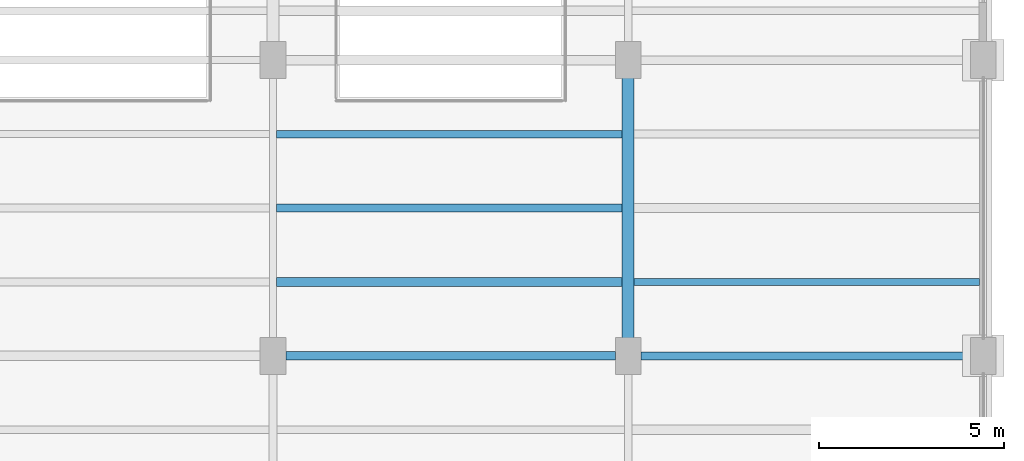
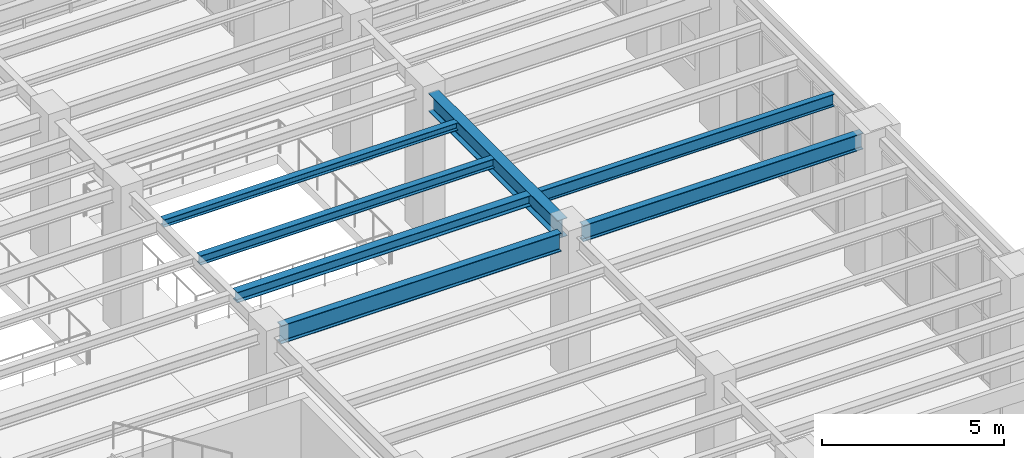
# One storey, part 107 of 174: 7 beams.
"""IFC4 building model written with IfcOpenShell, lengths in metres."""

from ifc_helpers import new_model, si_unit, direction, frame, origin, origin_2d, place, context, subcontext, project, spatial, i_section, extrude, material, material_profile, profile_set, type_object, element, save


model = new_model("IFC4")

# Units and contexts
model_context = context("Model", 3, precision=1e-05, world=origin(), true_north=direction((0.0, 1.0)))
body_context = subcontext(model_context, "Body", "Model", "MODEL_VIEW")
ifc_project = project(units=[si_unit("LENGTHUNIT", "METRE"), si_unit("AREAUNIT", "SQUARE_METRE"), si_unit("VOLUMEUNIT", "CUBIC_METRE"), si_unit("PLANEANGLEUNIT", "RADIAN"), si_unit("MASSUNIT", "GRAM", prefix="KILO")], contexts=[model_context])

# Site, building, storey
site_placement = place(None, origin())
site = spatial("IfcSite", under=ifc_project, at=site_placement, CompositionType="ELEMENT")
building_placement = place(site_placement, origin())
building = spatial("IfcBuilding", under=site, at=building_placement, Name="Mavantir Sound Aquarium", CompositionType="ELEMENT")
storey_placement = place(building_placement, frame((0.0, 0.0, 5.39990234375)))
storey = spatial("IfcBuildingStorey", under=building, at=storey_placement, Name="L01", CompositionType="ELEMENT", Elevation=5.39990234375)

# Beams
ifc_material = material(Name="Structural Steel ASTM A992 Gr50", Category="steel")
ifc_material_profile_1 = material_profile(ifc_material, i_section(OverallWidth=0.202880859375, OverallDepth=0.251953125, WebThickness=0.008056640625, FlangeThickness=0.013427734375, FilletRadius=0.011962890625, at=origin_2d()), Name="W250X58")
ifc_profile_set_1 = profile_set([ifc_material_profile_1], Name="Structural Steel ASTM A992 Gr50")
beam_type_1 = type_object("IfcBeamType", Name="BM-W250X58-I", PredefinedType="JOIST", material=ifc_profile_set_1)
beam_1_placement = place(storey_placement, frame((156.096923828125, 54.800048828125, 4.68017578125), z_axis=(1.0, 0.0, 0.0), x_axis=(0.0, 1.0, 0.0)))
element("IfcBeam", 1, at=beam_1_placement, inside=storey, type_object=beam_type_1, Name="L01 secondary floor joist SJ-25 768", PredefinedType="JOIST", context=body_context, shape_type="SweptSolid", body=[
    extrude(i_section(OverallWidth=0.202880859375, OverallDepth=0.251953125, WebThickness=0.008056640625, FlangeThickness=0.013427734375, FilletRadius=0.011962890625, at=origin_2d()), origin(), (0.0, 0.0, 1.0), 9.341064453125),
])
ifc_material_profile_2 = material_profile(ifc_material, i_section(OverallWidth=0.205078125, OverallDepth=0.31005859375, WebThickness=0.009521484375, FlangeThickness=0.016357421875, FilletRadius=0.012939453125, at=origin_2d()), Name="W310X74")
ifc_profile_set_2 = profile_set([ifc_material_profile_2], Name="Structural Steel ASTM A992 Gr50")
beam_type_2 = type_object("IfcBeamType", Name="BM-W310X74-I", PredefinedType="JOIST", material=ifc_profile_set_2)
beam_2_placement = place(storey_placement, frame((156.096923828125, 52.800048828125, 4.651123046875), z_axis=(1.0, 0.0, 0.0), x_axis=(0.0, 1.0, 0.0)))
element("IfcBeam", 2, at=beam_2_placement, inside=storey, type_object=beam_type_2, Name="L01 secondary floor joist SJ-31 767", PredefinedType="JOIST", context=body_context, shape_type="SweptSolid", body=[
    extrude(i_section(OverallWidth=0.205078125, OverallDepth=0.31005859375, WebThickness=0.009521484375, FlangeThickness=0.016357421875, FilletRadius=0.012939453125, at=origin_2d()), origin(), (0.0, 0.0, 1.0), 9.341064453125),
])
ifc_material_profile_3 = material_profile(ifc_material, i_section(OverallWidth=0.25390625, OverallDepth=0.35302734375, WebThickness=0.009521484375, FlangeThickness=0.016357421875, FilletRadius=0.014892578125, at=origin_2d()), Name="W360X91")
ifc_profile_set_3 = profile_set([ifc_material_profile_3], Name="Structural Steel ASTM A992 Gr50")
beam_type_3 = type_object("IfcBeamType", Name="BM-W360X91-I", PredefinedType="JOIST", material=ifc_profile_set_3)
beam_3_placement = place(storey_placement, frame((156.096923828125, 50.800048828125, 4.629638671875), z_axis=(1.0, 0.0, 0.0), x_axis=(0.0, 1.0, 0.0)))
element("IfcBeam", 3, at=beam_3_placement, inside=storey, type_object=beam_type_3, Name="L01 secondary floor joist SJ-36 766", PredefinedType="JOIST", context=body_context, shape_type="SweptSolid", body=[
    extrude(i_section(OverallWidth=0.25390625, OverallDepth=0.35302734375, WebThickness=0.009521484375, FlangeThickness=0.016357421875, FilletRadius=0.014892578125, at=origin_2d()), origin(), (0.0, 0.0, 1.0), 9.341064453125),
])
ifc_material_profile_4 = material_profile(ifc_material, i_section(OverallWidth=0.180908203125, OverallDepth=0.4169921875, WebThickness=0.010986328125, FlangeThickness=0.018310546875, FilletRadius=0.014892578125, at=origin_2d()), Name="W410X85")
ifc_profile_set_4 = profile_set([ifc_material_profile_4], Name="Structural Steel ASTM A992 Gr50")
beam_type_4 = type_object("IfcBeamType", Name="BM-W410X85-I", PredefinedType="JOIST", material=ifc_profile_set_4)
beam_4_placement = place(storey_placement, frame((165.761962890625, 50.800048828125, 4.59765625), z_axis=(1.0, 0.0, 0.0), x_axis=(0.0, 1.0, 0.0)))
element("IfcBeam", 4, at=beam_4_placement, inside=storey, type_object=beam_type_4, Name="L01 secondary floor joist SJ-41 769", PredefinedType="JOIST", context=body_context, shape_type="SweptSolid", body=[
    extrude(i_section(OverallWidth=0.180908203125, OverallDepth=0.4169921875, WebThickness=0.010986328125, FlangeThickness=0.018310546875, FilletRadius=0.014892578125, at=origin_2d()), origin(), (0.0, 0.0, 1.0), 9.338134765625),
])
ifc_material_profile_5 = material_profile(ifc_material, i_section(OverallWidth=0.2119140625, OverallDepth=0.5439453125, WebThickness=0.01318359375, FlangeThickness=0.021240234375, FilletRadius=0.01806640625, at=origin_2d()), Name="W530X123")
ifc_profile_set_5 = profile_set([ifc_material_profile_5], Name="Structural Steel ASTM A992 Gr50")
beam_type_5 = type_object("IfcBeamType", Name="BM-W530X123-I", PredefinedType="BEAM", material=ifc_profile_set_5)
beam_5_placement = place(storey_placement, frame((165.949951171875, 48.800048828125, 4.5341796875), z_axis=(1.0, 0.0, 0.0), x_axis=(0.0, 1.0, 0.0)))
element("IfcBeam", 5, at=beam_5_placement, inside=storey, type_object=beam_type_5, Name="L01 primary beam SB-53 1258", PredefinedType="BEAM", context=body_context, shape_type="SweptSolid", body=[
    extrude(i_section(OverallWidth=0.2119140625, OverallDepth=0.5439453125, WebThickness=0.01318359375, FlangeThickness=0.021240234375, FilletRadius=0.01806640625, at=origin_2d()), origin(), (0.0, 0.0, 1.0), 8.900146484375),
])
ifc_material_profile_6 = material_profile(ifc_material, i_section(OverallWidth=0.22900390625, OverallDepth=0.612060546875, WebThickness=0.011962890625, FlangeThickness=0.01953125, FilletRadius=0.01904296875, at=origin_2d()), Name="W610X125")
ifc_profile_set_6 = profile_set([ifc_material_profile_6], Name="Structural Steel ASTM A992 Gr50")
beam_type_6 = type_object("IfcBeamType", Name="BM-W610X125-I", PredefinedType="BEAM", material=ifc_profile_set_6)
beam_6_placement = place(storey_placement, frame((156.35009765625, 48.800048828125, 4.5), z_axis=(1.0, 0.0, 0.0), x_axis=(0.0, 1.0, 0.0)))
element("IfcBeam", 6, at=beam_6_placement, inside=storey, type_object=beam_type_6, Name="L01 primary beam SB-61B 1257", PredefinedType="BEAM", context=body_context, shape_type="SweptSolid", body=[
    extrude(i_section(OverallWidth=0.22900390625, OverallDepth=0.612060546875, WebThickness=0.011962890625, FlangeThickness=0.01953125, FilletRadius=0.01904296875, at=origin_2d()), origin(), (0.0, 0.0, 1.0), 8.89990234375),
])
ifc_material_profile_7 = material_profile(ifc_material, i_section(OverallWidth=0.323974609375, OverallDepth=0.611083984375, WebThickness=0.0126953125, FlangeThickness=0.01904296875, FilletRadius=0.01904296875, at=origin_2d()), Name="W610X155")
ifc_profile_set_7 = profile_set([ifc_material_profile_7], Name="Structural Steel ASTM A992 Gr50")
beam_type_7 = type_object("IfcBeamType", Name="BM-W610X155-I", PredefinedType="BEAM", material=ifc_profile_set_7)
beam_7_placement = place(storey_placement, frame((165.60009765625, 49.25, 4.50048828125), z_axis=(0.0, 1.0, 0.0), x_axis=(-1.0, 0.0, 0.0)))
element("IfcBeam", 7, at=beam_7_placement, inside=storey, type_object=beam_type_7, Name="L01 primary girder SB-61A 1348", PredefinedType="BEAM", context=body_context, shape_type="SweptSolid", body=[
    extrude(i_section(OverallWidth=0.323974609375, OverallDepth=0.611083984375, WebThickness=0.0126953125, FlangeThickness=0.01904296875, FilletRadius=0.01904296875, at=origin_2d()), origin(), (0.0, 0.0, 1.0), 7.10009765625),
])

save(model, "model.ifc")
